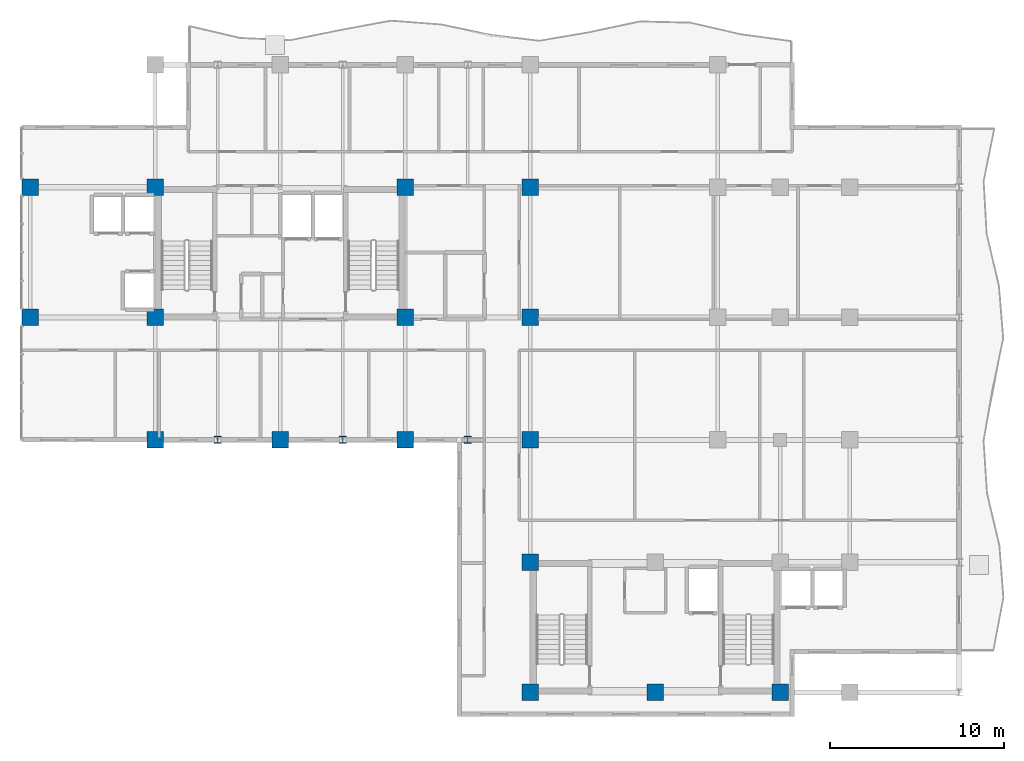
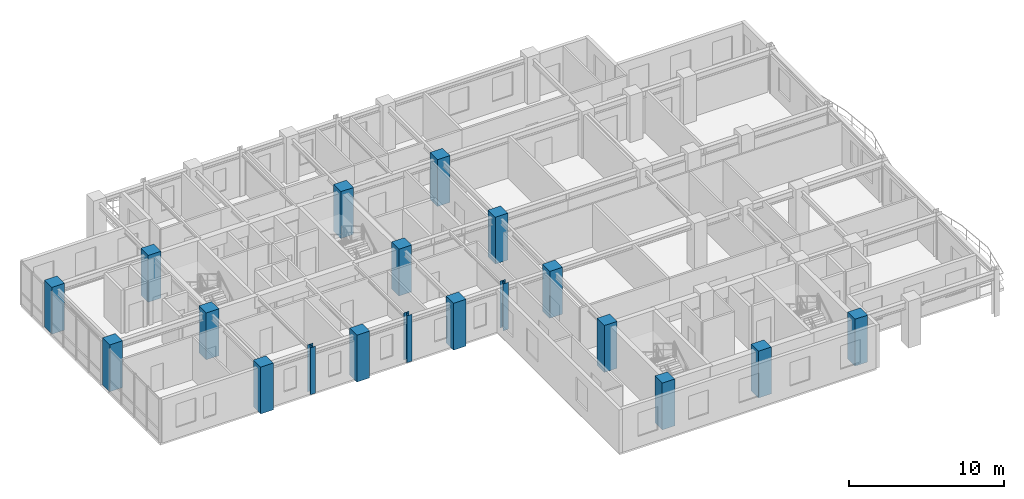
# One storey, part 1 of 20: 19 columns.
"""IFC4 building model written with IfcOpenShell, lengths in metres."""

from ifc_helpers import new_model, si_unit, direction, frame, origin, origin_2d, place, context, subcontext, project, spatial, rectangle, i_section, extrude, source, transform, mapped, material, material_profile, profile_set, type_object, element, save


model = new_model("IFC4")

# Units and contexts
model_context = context("Model", 3, precision=1e-05, world=origin(), true_north=direction((0.0, 1.0)))
body_context = subcontext(model_context, "Body", "Model", "MODEL_VIEW")
ifc_project = project(units=[si_unit("LENGTHUNIT", "METRE"), si_unit("AREAUNIT", "SQUARE_METRE"), si_unit("VOLUMEUNIT", "CUBIC_METRE"), si_unit("PLANEANGLEUNIT", "RADIAN"), si_unit("MASSUNIT", "GRAM", prefix="KILO")], contexts=[model_context])

# Site, building, storey
site_placement = place(None, origin())
site = spatial("IfcSite", under=ifc_project, at=site_placement, CompositionType="ELEMENT")
building_placement = place(site_placement, origin())
building = spatial("IfcBuilding", under=site, at=building_placement, Name="Kaliganga Portal Commons", CompositionType="ELEMENT")
storey_placement = place(building_placement, frame((0.0, 0.0, 231.39990234375)))
storey = spatial("IfcBuildingStorey", under=building, at=storey_placement, Name="L59", CompositionType="ELEMENT", Elevation=231.39990234375)

# Columns
ifc_material_1 = material(Name="Concrete C50/60", Category="concrete")
ifc_material_profile_1 = material_profile(ifc_material_1, rectangle(XDim=0.949951171875, YDim=0.949951171875, at=origin_2d()), Name="RC 950x950")
ifc_profile_set_1 = profile_set([ifc_material_profile_1], Name="Concrete C50/60")
column_type_1 = type_object("IfcColumnType", Name="COL-MEGA-Z4", PredefinedType="COLUMN", material=ifc_profile_set_1)
shared_shape_1 = source(origin(), body_context, "Body", "SweptSolid", [
    extrude(rectangle(XDim=0.949951171875, YDim=0.949951171875, at=origin_2d()), origin(), (0.0, 0.0, 1.0), 3.7001953125),
])
for number, where, z_axis, x_axis, name in (
    (1, (7.199951171875, 28.64990234375, 0.0), (0.0, 0.0, 1.0), (1.0, 0.0, 0.0), "Column MC-05 L59"),
    (2, (7.199951171875, 36.14990234375, 0.0), (0.0, 0.0, 1.0), (1.0, 0.0, 0.0), "Column MC-05 L59"),
    (3, (14.39990234375, 21.60009765625, 0.0), (0.0, 0.0, 1.0), (1.0, 0.0, 0.0), "Column MC-05 L59"),
    (4, (14.39990234375, 28.64990234375, 0.0), (0.0, 0.0, 1.0), (1.0, 0.0, 0.0), "Column MC-05 L59"),
    (5, (14.39990234375, 36.14990234375, 0.0), (0.0, 0.0, 1.0), (1.0, 0.0, 0.0), "Column MC-05 L59"),
    (6, (21.60009765625, 21.60009765625, 0.0), (0.0, 0.0, 1.0), (1.0, 0.0, 0.0), "Column MC-05 L59"),
    (7, (28.800048828125, 21.60009765625, 0.0), (0.0, 0.0, 1.0), (1.0, 0.0, 0.0), "Column MC-05 L59"),
    (8, (28.800048828125, 28.64990234375, 0.0), (0.0, 0.0, 1.0), (1.0, 0.0, 0.0), "Column MC-05 L59"),
    (9, (28.800048828125, 36.14990234375, 0.0), (0.0, 0.0, 1.0), (1.0, 0.0, 0.0), "Column MC-05 L59"),
    (10, (36.0, 21.60009765625, 0.0), (0.0, 0.0, 1.0), (1.0, 0.0, 0.0), "Column MC-05 L59"),
    (11, (36.0, 28.64990234375, 0.0), (0.0, 0.0, 1.0), (1.0, 0.0, 0.0), "Column MC-05 L59"),
    (12, (36.0, 36.14990234375, 0.0), (0.0, 0.0, 1.0), (1.0, 0.0, 0.0), "Column MC-05 L59"),
    (13, (36.0, 7.050048828125, 0.0), (0.0, 0.0, 1.0), (1.0, 0.0, 0.0), "Column MC-05 L59"),
    (14, (36.0, 14.550048828125, 0.0), (0.0, 0.0, 1.0), (1.0, 0.0, 0.0), "Column MC-05 L59"),
    (15, (43.199951171875, 7.050048828125, 0.0), (0.0, 0.0, 1.0), (1.0, 0.0, 0.0), "Column MC-05 L59"),
    (16, (50.39990234375, 7.050048828125, 0.0), (0.0, 0.0, 1.0), (1.0, 0.0, 0.0), "Column MC-05 L59"),
):
    element("IfcColumn", number, at=place(storey_placement, frame(where, z_axis=z_axis, x_axis=x_axis)), inside=storey, type_object=column_type_1, Name=name, PredefinedType="COLUMN", context=body_context, shape_type="MappedRepresentation", body=[
        mapped(shared_shape_1, transform((0.0, 0.0, 0.0), x_axis=(1.0, 0.0, 0.0), y_axis=(0.0, 1.0, 0.0), z_axis=(0.0, 0.0, 1.0), scale=1.0)),
    ])
ifc_material_2 = material(Name="Structural steel S355J2", Category="steel")
ifc_material_profile_2 = material_profile(ifc_material_2, i_section(OverallWidth=0.39892578125, OverallDepth=0.39990234375, WebThickness=0.017333984375, FlangeThickness=0.0234375, FilletRadius=0.014892578125, at=origin_2d()), Name="HD 400x287")
ifc_profile_set_2 = profile_set([ifc_material_profile_2], Name="Structural steel S355J2 wide-flange")
column_type_2 = type_object("IfcColumnType", Name="COL-TUBE-B4", PredefinedType="COLUMN", material=ifc_profile_set_2)
shared_shape_2 = source(origin(), body_context, "Body", "SweptSolid", [
    extrude(i_section(OverallWidth=0.39892578125, OverallDepth=0.39990234375, WebThickness=0.017333984375, FlangeThickness=0.0234375, FilletRadius=0.014892578125, at=origin_2d()), origin(), (0.0, 0.0, 1.0), 3.7001953125),
])
for number, where, z_axis, x_axis, name in (
    (17, (18.0, 21.60009765625, 0.0), (0.0, 0.0, 1.0), (1.0, 0.0, 0.0), "Column TC-04 L59"),
    (18, (25.199951171875, 21.60009765625, 0.0), (0.0, 0.0, 1.0), (1.0, 0.0, 0.0), "Column TC-04 L59"),
    (19, (32.39990234375, 21.60009765625, 0.0), (0.0, 0.0, 1.0), (1.0, 0.0, 0.0), "Column TC-04 L59"),
):
    element("IfcColumn", number, at=place(storey_placement, frame(where, z_axis=z_axis, x_axis=x_axis)), inside=storey, type_object=column_type_2, Name=name, PredefinedType="COLUMN", context=body_context, shape_type="MappedRepresentation", body=[
        mapped(shared_shape_2, transform((0.0, 0.0, 0.0), x_axis=(1.0, 0.0, 0.0), y_axis=(0.0, 1.0, 0.0), z_axis=(0.0, 0.0, 1.0), scale=1.0)),
    ])

save(model, "model.ifc")
